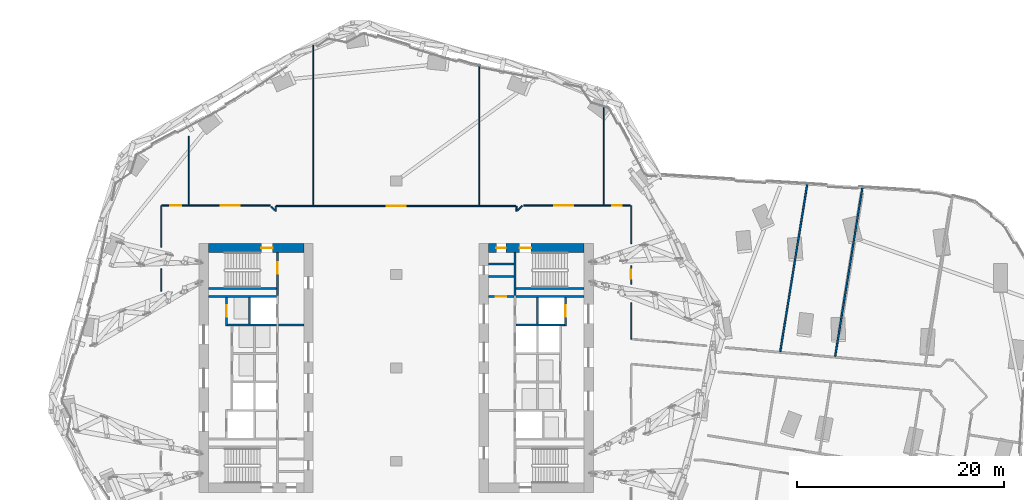
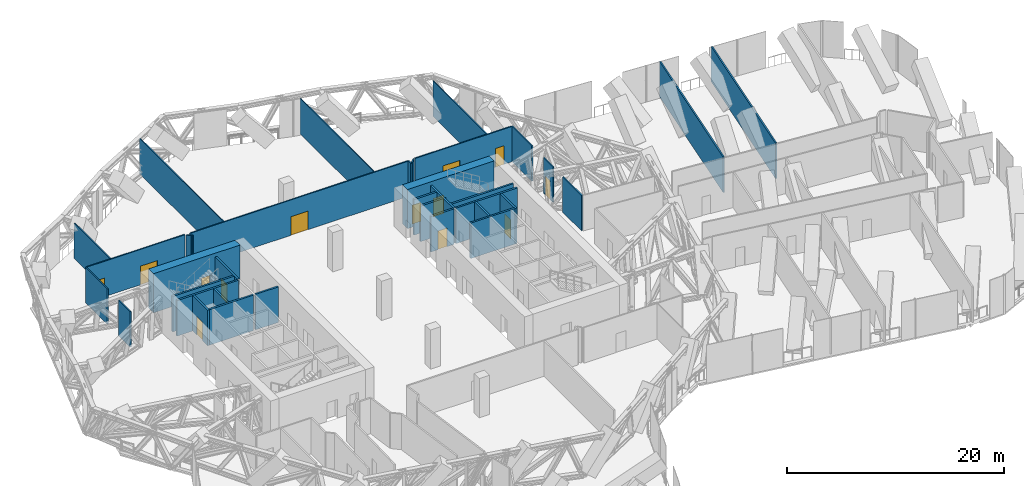
# One storey, part 32 of 39: 36 walls, 13 doors, 13 openings.
"""IFC4 building model written with IfcOpenShell, lengths in metres."""

from ifc_helpers import new_model, si_unit, direction, frame, frame_2d, origin, place, context, subcontext, project, spatial, rectangle, extrude, material, layer, layer_set, type_object, element, fill, save


model = new_model("IFC4")

# Units and contexts
model_context = context("Model", 3, precision=1e-05, world=origin(), true_north=direction((0.0, 1.0)))
body_context = subcontext(model_context, "Body", "Model", "MODEL_VIEW")
ifc_project = project(units=[si_unit("LENGTHUNIT", "METRE"), si_unit("AREAUNIT", "SQUARE_METRE"), si_unit("VOLUMEUNIT", "CUBIC_METRE"), si_unit("PLANEANGLEUNIT", "RADIAN"), si_unit("MASSUNIT", "GRAM", prefix="KILO")], contexts=[model_context])

# Site, building, storey
site_placement = place(None, origin())
site = spatial("IfcSite", under=ifc_project, at=site_placement, CompositionType="ELEMENT")
building_placement = place(site_placement, origin())
building = spatial("IfcBuilding", under=site, at=building_placement, Name="Orlundy Tower", CompositionType="ELEMENT")
storey_placement = place(building_placement, frame((0.0, 0.0, 141.199951171875)))
storey = spatial("IfcBuildingStorey", under=building, at=storey_placement, Name="L36", CompositionType="ELEMENT", Elevation=141.199951171875)

# Wall, opening, door
ifc_material_1 = material(Name="Concrete C80/95", Category="concrete")
ifc_layer_1 = layer(ifc_material_1, 0.89990234375)
ifc_layer_set_1 = layer_set([ifc_layer_1], Name="CORE WALL 900 C80/95")
wall_type_1 = type_object("IfcWallType", Name="CORE WALL 900 C80/95", PredefinedType="SHEAR", material=ifc_layer_set_1)
wall_1_placement = place(storey_placement, frame((-18.10009765625, 11.550048828125, 0.0), z_axis=(0.0, 0.0, 1.0), x_axis=(1.0, 0.0, 0.0)))
wall_1 = element("IfcWall", 1, at=wall_1_placement, inside=storey, type_object=wall_type_1, Name="Core wall W-N L36", PredefinedType="SHEAR", context=body_context, shape_type="SweptSolid", body=[
    extrude(rectangle(XDim=9.2001953125, YDim=0.89990234375, at=frame_2d((4.60009765625, 0.0))), origin(), (0.0, 0.0, 1.0), 4.400146484375),
])
opening_1_placement = place(wall_1_placement, frame((5.10009765625, 0.0, 0.0)))
opening_1 = element("IfcOpeningElement", 2, at=opening_1_placement, cuts=wall_1, Name="Opening 27017", PredefinedType="OPENING", context=body_context, shape_type="SweptSolid", body=[
    extrude(rectangle(XDim=1.10009765625, YDim=2.10009765625, at=frame_2d((0.550048828125, 1.050048828125))), frame((0.0, 0.4599609375, 0.0), z_axis=(0.0, -1.0, 0.0), x_axis=(1.0, 0.0, 0.0)), (0.0, 0.0, 1.0), 0.919921875),
])
ifc_material_2 = material(Name="Steel door set", Category="steel")
door_type_1 = type_object("IfcDoorType", Name="Stair Door 1100x2100", OperationType="SINGLE_SWING_LEFT", PredefinedType="DOOR", material=ifc_material_2)
door_1_placement = place(opening_1_placement, origin())
door_1 = element("IfcDoor", 3, at=door_1_placement, inside=storey, type_object=door_type_1, Name="Stair door 27017", OperationType="SINGLE_SWING_RIGHT", OverallHeight=2.10009765625, OverallWidth=1.10009765625, PredefinedType="DOOR", context=body_context, shape_type="SweptSolid", body=[
    extrude(rectangle(XDim=1.10009765625, YDim=2.10009765625, at=frame_2d((0.550048828125, 1.050048828125))), frame((0.0, 0.02490234375, 0.0), z_axis=(0.0, -1.0, 0.0), x_axis=(1.0, 0.0, 0.0)), (0.0, 0.0, 1.0), 0.050048828125),
])
fill(opening_1, door_1)

# Wall, openings, doors
wall_2_placement = place(storey_placement, frame((8.89990234375, 11.550048828125, 0.0), z_axis=(0.0, 0.0, 1.0), x_axis=(1.0, 0.0, 0.0)))
wall_2 = element("IfcWall", 4, at=wall_2_placement, inside=storey, type_object=wall_type_1, Name="Core wall E-N L36", PredefinedType="SHEAR", context=body_context, shape_type="SweptSolid", body=[
    extrude(rectangle(XDim=9.2001953125, YDim=0.89990234375, at=frame_2d((4.60009765625, 0.0))), origin(), (0.0, 0.0, 1.0), 4.400146484375),
])
opening_2_placement = place(wall_2_placement, frame((3.0, 0.0, 0.0)))
opening_2 = element("IfcOpeningElement", 5, at=opening_2_placement, cuts=wall_2, Name="Opening 27067", PredefinedType="OPENING", context=body_context, shape_type="SweptSolid", body=[
    extrude(rectangle(XDim=1.10009765625, YDim=2.10009765625, at=frame_2d((0.550048828125, 1.050048828125))), frame((0.0, 0.4599609375, 0.0), z_axis=(0.0, -1.0, 0.0), x_axis=(1.0, 0.0, 0.0)), (0.0, 0.0, 1.0), 0.919921875),
])
opening_3_placement = place(wall_2_placement, frame((0.77001953125, 0.0, 0.0)))
opening_3 = element("IfcOpeningElement", 6, at=opening_3_placement, cuts=wall_2, Name="Opening 27069", PredefinedType="OPENING", context=body_context, shape_type="SweptSolid", body=[
    extrude(rectangle(XDim=0.89990234375, YDim=2.10009765625, at=frame_2d((0.449951171875, 1.050048828125))), frame((0.0, 0.4599609375, 0.0), z_axis=(0.0, -1.0, 0.0), x_axis=(1.0, 0.0, 0.0)), (0.0, 0.0, 1.0), 0.919921875),
])
ifc_material_3 = material(Name="Timber door set", Category="wood")
door_type_2 = type_object("IfcDoorType", Name="Room Door 900x2100", OperationType="SINGLE_SWING_LEFT", PredefinedType="DOOR", material=ifc_material_3)
door_2_placement = place(opening_3_placement, origin())
door_2 = element("IfcDoor", 7, at=door_2_placement, inside=storey, type_object=door_type_2, Name="Store door 27069", OperationType="SINGLE_SWING_LEFT", OverallHeight=2.10009765625, OverallWidth=0.89990234375, PredefinedType="DOOR", context=body_context, shape_type="SweptSolid", body=[
    extrude(rectangle(XDim=0.89990234375, YDim=2.10009765625, at=frame_2d((0.449951171875, 1.050048828125))), frame((0.0, 0.02490234375, 0.0), z_axis=(0.0, -1.0, 0.0), x_axis=(1.0, 0.0, 0.0)), (0.0, 0.0, 1.0), 0.050048828125),
])
fill(opening_3, door_2)
door_3_placement = place(opening_2_placement, origin())
door_3 = element("IfcDoor", 8, at=door_3_placement, inside=storey, type_object=door_type_1, Name="Stair door 27067", OperationType="SINGLE_SWING_LEFT", OverallHeight=2.10009765625, OverallWidth=1.10009765625, PredefinedType="DOOR", context=body_context, shape_type="SweptSolid", body=[
    extrude(rectangle(XDim=1.10009765625, YDim=2.10009765625, at=frame_2d((0.550048828125, 1.050048828125))), frame((0.0, 0.02490234375, 0.0), z_axis=(0.0, -1.0, 0.0), x_axis=(1.0, 0.0, 0.0)), (0.0, 0.0, 1.0), 0.050048828125),
])
fill(opening_2, door_3)

# Walls
ifc_material_4 = material(Name="Gypsum board partition")
ifc_layer_2 = layer(ifc_material_4, 0.10009765625)
ifc_layer_set_2 = layer_set([ifc_layer_2], Name="Floor partition 100")
wall_type_2 = type_object("IfcWallType", Name="Floor partition 100", PredefinedType="PARTITIONING", material=ifc_layer_set_2)
wall_3_placement = place(storey_placement, frame((20.0, 15.712890625, 0.0), z_axis=(0.0, 0.0, 1.0), x_axis=(0.0, 1.0, 0.0)))
element("IfcWall", 9, at=wall_3_placement, inside=storey, type_object=wall_type_2, Name="wall-int-L36-082", PredefinedType="PARTITIONING", context=body_context, shape_type="SweptSolid", body=[
    extrude(rectangle(XDim=9.876220703125, YDim=0.10009765625, at=frame_2d((4.93798828125, 0.0))), origin(), (0.0, 0.0, 1.0), 3.97998046875),
])
wall_4_placement = place(storey_placement, frame((8.0, 15.6640625, 0.0), z_axis=(0.0, 0.0, 1.0), x_axis=(0.0, 1.0, 0.0)))
element("IfcWall", 10, at=wall_4_placement, inside=storey, type_object=wall_type_2, Name="wall-int-L36-086", PredefinedType="PARTITIONING", context=body_context, shape_type="SweptSolid", body=[
    extrude(rectangle(XDim=13.596923828125, YDim=0.10009765625, at=frame_2d((6.79833984375, 0.0))), origin(), (0.0, 0.0, 1.0), 3.97998046875),
])
wall_5_placement = place(storey_placement, frame((-8.0, 15.6640625, 0.0), z_axis=(0.0, 0.0, 1.0), x_axis=(0.0, 1.0, 0.0)))
element("IfcWall", 11, at=wall_5_placement, inside=storey, type_object=wall_type_2, Name="wall-int-L36-087", PredefinedType="PARTITIONING", context=body_context, shape_type="SweptSolid", body=[
    extrude(rectangle(XDim=15.427978515625, YDim=0.10009765625, at=frame_2d((7.7138671875, 0.0))), origin(), (0.0, 0.0, 1.0), 3.97998046875),
])
wall_6_placement = place(storey_placement, frame((-20.0, 15.712890625, 0.0), z_axis=(0.0, 0.0, 1.0), x_axis=(0.0, 1.0, 0.0)))
element("IfcWall", 12, at=wall_6_placement, inside=storey, type_object=wall_type_2, Name="wall-int-L36-089", PredefinedType="PARTITIONING", context=body_context, shape_type="SweptSolid", body=[
    extrude(rectangle(XDim=6.608154296875, YDim=0.10009765625, at=frame_2d((3.30419921875, 0.0))), origin(), (0.0, 0.0, 1.0), 3.97998046875),
])
ifc_material_5 = material(Name="Gypsum board partition, double layer")
ifc_layer_3 = layer(ifc_material_5, 0.125)
ifc_layer_set_3 = layer_set([ifc_layer_3], Name="Floor partition 125")
wall_type_3 = type_object("IfcWallType", Name="Floor partition 125", PredefinedType="PARTITIONING", material=ifc_layer_set_3)
wall_7_placement = place(storey_placement, frame((-12.0458984375, 15.52392578125, 0.0), z_axis=(0.0, 0.0, 1.0), x_axis=(0.707106781187, -0.707106781187, 0.0)))
element("IfcWall", 13, at=wall_7_placement, inside=storey, type_object=wall_type_3, Name="wall-int-L36-012", PredefinedType="PARTITIONING", context=body_context, shape_type="SweptSolid", body=[
    extrude(rectangle(XDim=0.449462890625, YDim=0.125, at=frame_2d((0.224609375, 0.0))), origin(), (0.0, 0.0, 1.0), 3.97998046875),
])

# Wall, opening, door
wall_8_placement = place(storey_placement, frame((-11.537109375, 15.60107421875, 0.0), z_axis=(0.0, 0.0, 1.0), x_axis=(1.0, 0.0, 0.0)))
wall_8 = element("IfcWall", 14, at=wall_8_placement, inside=storey, type_object=wall_type_3, Name="wall-int-L36-041", PredefinedType="PARTITIONING", context=body_context, shape_type="SweptSolid", body=[
    extrude(rectangle(XDim=23.07421875, YDim=0.125, at=frame_2d((11.537109375, 0.0))), origin(), (0.0, 0.0, 1.0), 3.97998046875),
])
opening_4_placement = place(wall_8_placement, frame((10.637451171875, 0.0, 0.0)))
opening_4 = element("IfcOpeningElement", 15, at=opening_4_placement, cuts=wall_8, Name="Opening 27134", PredefinedType="OPENING", context=body_context, shape_type="SweptSolid", body=[
    extrude(rectangle(XDim=1.800048828125, YDim=2.10009765625, at=frame_2d((0.89990234375, 1.050048828125))), frame((0.0, 0.072509765625, 0.0), z_axis=(0.0, -1.0, 0.0), x_axis=(1.0, 0.0, 0.0)), (0.0, 0.0, 1.0), 0.14501953125),
])
ifc_material_6 = material(Name="Timber door leaf", Category="wood")
door_type_3 = type_object("IfcDoorType", Name="Floor door double 1800 FD30S", OperationType="NOTDEFINED", PredefinedType="DOOR", material=ifc_material_6)
door_4_placement = place(opening_4_placement, origin())
door_4 = element("IfcDoor", 16, at=door_4_placement, inside=storey, type_object=door_type_3, Name="Door 27134", OperationType="DOUBLE_DOOR_SINGLE_SWING", OverallHeight=2.10009765625, OverallWidth=1.800048828125, PredefinedType="DOOR", context=body_context, shape_type="SweptSolid", body=[
    extrude(rectangle(XDim=1.800048828125, YDim=2.10009765625, at=frame_2d((0.89990234375, 1.050048828125))), frame((0.0, 0.02490234375, 0.0), z_axis=(0.0, -1.0, 0.0), x_axis=(1.0, 0.0, 0.0)), (0.0, 0.0, 1.0), 0.050048828125),
])
fill(opening_4, door_4)

# Wall, openings, doors
wall_9_placement = place(storey_placement, frame((-22.5869140625, 15.65087890625, 0.0), z_axis=(0.0, 0.0, 1.0), x_axis=(1.0, 0.0, 0.0)))
wall_9 = element("IfcWall", 17, at=wall_9_placement, inside=storey, type_object=wall_type_3, Name="wall-int-L36-042", PredefinedType="PARTITIONING", context=body_context, shape_type="SweptSolid", body=[
    extrude(rectangle(XDim=10.427001953125, YDim=0.125, at=frame_2d((5.21337890625, 0.0))), origin(), (0.0, 0.0, 1.0), 3.97998046875),
])
opening_5_placement = place(wall_9_placement, frame((5.6875, 0.0, 0.0)))
opening_5 = element("IfcOpeningElement", 18, at=opening_5_placement, cuts=wall_9, Name="Opening 27135", PredefinedType="OPENING", context=body_context, shape_type="SweptSolid", body=[
    extrude(rectangle(XDim=1.800048828125, YDim=2.10009765625, at=frame_2d((0.89990234375, 1.050048828125))), frame((0.0, 0.072509765625, 0.0), z_axis=(0.0, -1.0, 0.0), x_axis=(1.0, 0.0, 0.0)), (0.0, 0.0, 1.0), 0.14501953125),
])
opening_6_placement = place(wall_9_placement, frame((0.78759765625, 0.0, 0.0)))
opening_6 = element("IfcOpeningElement", 19, at=opening_6_placement, cuts=wall_9, Name="Opening 27136", PredefinedType="OPENING", context=body_context, shape_type="SweptSolid", body=[
    extrude(rectangle(XDim=1.10009765625, YDim=2.10009765625, at=frame_2d((0.550048828125, 1.050048828125))), frame((0.0, 0.072509765625, 0.0), z_axis=(0.0, -1.0, 0.0), x_axis=(1.0, 0.0, 0.0)), (0.0, 0.0, 1.0), 0.14501953125),
])
door_5_placement = place(opening_5_placement, origin())
door_5 = element("IfcDoor", 20, at=door_5_placement, inside=storey, type_object=door_type_3, Name="Door 27135", OperationType="DOUBLE_DOOR_SINGLE_SWING", OverallHeight=2.10009765625, OverallWidth=1.800048828125, PredefinedType="DOOR", context=body_context, shape_type="SweptSolid", body=[
    extrude(rectangle(XDim=1.800048828125, YDim=2.10009765625, at=frame_2d((0.89990234375, 1.050048828125))), frame((0.0, 0.02490234375, 0.0), z_axis=(0.0, -1.0, 0.0), x_axis=(1.0, 0.0, 0.0)), (0.0, 0.0, 1.0), 0.050048828125),
])
fill(opening_5, door_5)
ifc_material_7 = material(Name="Timber door leaf", Category="wood")
door_type_4 = type_object("IfcDoorType", Name="Floor door xwide 1100 FD30S", OperationType="NOTDEFINED", PredefinedType="DOOR", material=ifc_material_7)
door_6_placement = place(opening_6_placement, origin())
door_6 = element("IfcDoor", 21, at=door_6_placement, inside=storey, type_object=door_type_4, Name="Door 27136", OperationType="SINGLE_SWING_LEFT", OverallHeight=2.10009765625, OverallWidth=1.10009765625, PredefinedType="DOOR", context=body_context, shape_type="SweptSolid", body=[
    extrude(rectangle(XDim=1.10009765625, YDim=2.10009765625, at=frame_2d((0.550048828125, 1.050048828125))), frame((0.0, 0.02490234375, 0.0), z_axis=(0.0, -1.0, 0.0), x_axis=(1.0, 0.0, 0.0)), (0.0, 0.0, 1.0), 0.050048828125),
])
fill(opening_6, door_6)

wall_10_placement = place(storey_placement, frame((12.31103515625, 15.65087890625, 0.0), z_axis=(0.0, 0.0, 1.0), x_axis=(1.0, 0.0, 0.0)))
wall_10 = element("IfcWall", 22, at=wall_10_placement, inside=storey, type_object=wall_type_3, Name="wall-int-L36-043", PredefinedType="PARTITIONING", context=body_context, shape_type="SweptSolid", body=[
    extrude(rectangle(XDim=10.27587890625, YDim=0.125, at=frame_2d((5.137939453125, 0.0))), origin(), (0.0, 0.0, 1.0), 3.97998046875),
])
opening_7_placement = place(wall_10_placement, frame((8.5390625, 0.0, 0.0)))
opening_7 = element("IfcOpeningElement", 23, at=opening_7_placement, cuts=wall_10, Name="Opening 27132", PredefinedType="OPENING", context=body_context, shape_type="SweptSolid", body=[
    extrude(rectangle(XDim=0.89990234375, YDim=2.10009765625, at=frame_2d((0.449951171875, 1.050048828125))), frame((0.0, 0.072509765625, 0.0), z_axis=(0.0, -1.0, 0.0), x_axis=(1.0, 0.0, 0.0)), (0.0, 0.0, 1.0), 0.14501953125),
])
opening_8_placement = place(wall_10_placement, frame((2.94921875, 0.0, 0.0)))
opening_8 = element("IfcOpeningElement", 24, at=opening_8_placement, cuts=wall_10, Name="Opening 27133", PredefinedType="OPENING", context=body_context, shape_type="SweptSolid", body=[
    extrude(rectangle(XDim=1.800048828125, YDim=2.10009765625, at=frame_2d((0.89990234375, 1.050048828125))), frame((0.0, 0.072509765625, 0.0), z_axis=(0.0, -1.0, 0.0), x_axis=(1.0, 0.0, 0.0)), (0.0, 0.0, 1.0), 0.14501953125),
])
door_7_placement = place(opening_8_placement, origin())
door_7 = element("IfcDoor", 25, at=door_7_placement, inside=storey, type_object=door_type_3, Name="Door 27133", OperationType="DOUBLE_DOOR_SINGLE_SWING", OverallHeight=2.10009765625, OverallWidth=1.800048828125, PredefinedType="DOOR", context=body_context, shape_type="SweptSolid", body=[
    extrude(rectangle(XDim=1.800048828125, YDim=2.10009765625, at=frame_2d((0.89990234375, 1.050048828125))), frame((0.0, 0.02490234375, 0.0), z_axis=(0.0, -1.0, 0.0), x_axis=(1.0, 0.0, 0.0)), (0.0, 0.0, 1.0), 0.050048828125),
])
fill(opening_8, door_7)
ifc_material_8 = material(Name="Timber door leaf", Category="wood")
door_type_5 = type_object("IfcDoorType", Name="Floor door single 900 FD30S", OperationType="NOTDEFINED", PredefinedType="DOOR", material=ifc_material_8)
door_8_placement = place(opening_7_placement, origin())
door_8 = element("IfcDoor", 26, at=door_8_placement, inside=storey, type_object=door_type_5, Name="Door 27132", OperationType="SINGLE_SWING_RIGHT", OverallHeight=2.10009765625, OverallWidth=0.89990234375, PredefinedType="DOOR", context=body_context, shape_type="SweptSolid", body=[
    extrude(rectangle(XDim=0.89990234375, YDim=2.10009765625, at=frame_2d((0.449951171875, 1.050048828125))), frame((0.0, 0.02490234375, 0.0), z_axis=(0.0, -1.0, 0.0), x_axis=(1.0, 0.0, 0.0)), (0.0, 0.0, 1.0), 0.050048828125),
])
fill(opening_7, door_8)

# Walls
wall_11_placement = place(storey_placement, frame((11.72900390625, 15.20703125, 0.0), z_axis=(0.0, 0.0, 1.0), x_axis=(0.707106781187, 0.707106781187, 0.0)))
element("IfcWall", 27, at=wall_11_placement, inside=storey, type_object=wall_type_3, Name="wall-int-L36-049", PredefinedType="PARTITIONING", context=body_context, shape_type="SweptSolid", body=[
    extrude(rectangle(XDim=0.599609375, YDim=0.125, at=frame_2d((0.2998046875, 0.0))), origin(), (0.0, 0.0, 1.0), 3.97998046875),
])
wall_12_placement = place(storey_placement, frame((-11.60107421875, 15.092041015625, 0.0), z_axis=(0.0, 0.0, 1.0), x_axis=(0.00192214926, 0.999998152669, 0.0)))
element("IfcWall", 28, at=wall_12_placement, inside=storey, type_object=wall_type_3, Name="wall-int-L36-075", PredefinedType="PARTITIONING", context=body_context, shape_type="SweptSolid", body=[
    extrude(rectangle(XDim=0.508056640625, YDim=0.125, at=frame_2d((0.25390625, 0.0))), origin(), (0.0, 0.0, 1.0), 3.97998046875),
])
wall_13_placement = place(storey_placement, frame((22.65087890625, 2.778076171875, 0.0), z_axis=(0.0, 0.0, 1.0), x_axis=(0.0, 1.0, 0.0)))
element("IfcWall", 29, at=wall_13_placement, inside=storey, type_object=wall_type_3, Name="wall-int-L36-078", PredefinedType="PARTITIONING", context=body_context, shape_type="SweptSolid", body=[
    extrude(rectangle(XDim=3.474853515625, YDim=0.125, at=frame_2d((1.7373046875, 0.0))), origin(), (0.0, 0.0, 1.0), 3.97998046875),
])

# Wall, opening, door
wall_14_placement = place(storey_placement, frame((22.65087890625, 9.821044921875, 0.0), z_axis=(0.0, 0.0, 1.0), x_axis=(0.0, -1.0, 0.0)))
wall_14 = element("IfcWall", 30, at=wall_14_placement, inside=storey, type_object=wall_type_3, Name="wall-int-L36-079", PredefinedType="PARTITIONING", context=body_context, shape_type="SweptSolid", body=[
    extrude(rectangle(XDim=1.759033203125, YDim=0.125, at=frame_2d((0.87939453125, 0.0))), origin(), (0.0, 0.0, 1.0), 3.97998046875),
])
opening_9_placement = place(wall_14_placement, frame((0.35009765625, 0.0, 0.0)))
opening_9 = element("IfcOpeningElement", 31, at=opening_9_placement, cuts=wall_14, Name="Opening 27131", PredefinedType="OPENING", context=body_context, shape_type="SweptSolid", body=[
    extrude(rectangle(XDim=0.89990234375, YDim=2.10009765625, at=frame_2d((0.449951171875, 1.050048828125))), frame((0.0, 0.072509765625, 0.0), z_axis=(0.0, -1.0, 0.0), x_axis=(1.0, 0.0, 0.0)), (0.0, 0.0, 1.0), 0.14501953125),
])
door_9_placement = place(opening_9_placement, origin())
door_9 = element("IfcDoor", 32, at=door_9_placement, inside=storey, type_object=door_type_5, Name="Door 27131", OperationType="SINGLE_SWING_LEFT", OverallHeight=2.10009765625, OverallWidth=0.89990234375, PredefinedType="DOOR", context=body_context, shape_type="SweptSolid", body=[
    extrude(rectangle(XDim=0.89990234375, YDim=2.10009765625, at=frame_2d((0.449951171875, 1.050048828125))), frame((0.0, 0.02490234375, 0.0), z_axis=(0.0, -1.0, 0.0), x_axis=(1.0, 0.0, 0.0)), (0.0, 0.0, 1.0), 0.050048828125),
])
fill(opening_9, door_9)

# Walls
wall_15_placement = place(storey_placement, frame((22.65087890625, 11.968994140625, 0.0), z_axis=(0.0, 0.0, 1.0), x_axis=(0.0, 1.0, 0.0)))
element("IfcWall", 33, at=wall_15_placement, inside=storey, type_object=wall_type_3, Name="wall-int-L36-080", PredefinedType="PARTITIONING", context=body_context, shape_type="SweptSolid", body=[
    extrude(rectangle(XDim=3.680908203125, YDim=0.125, at=frame_2d((1.84033203125, 0.0))), origin(), (0.0, 0.0, 1.0), 3.97998046875),
])
wall_16_placement = place(storey_placement, frame((11.60107421875, 15.092041015625, 0.0), z_axis=(0.0, 0.0, 1.0), x_axis=(0.0, 1.0, 0.0)))
element("IfcWall", 34, at=wall_16_placement, inside=storey, type_object=wall_type_3, Name="wall-int-L36-084", PredefinedType="PARTITIONING", context=body_context, shape_type="SweptSolid", body=[
    extrude(rectangle(XDim=0.508056640625, YDim=0.125, at=frame_2d((0.25390625, 0.0))), origin(), (0.0, 0.0, 1.0), 3.97998046875),
])
wall_17_placement = place(storey_placement, frame((-22.64990234375, 7.402099609375, 0.0), z_axis=(0.0, 0.0, 1.0), x_axis=(0.0, 1.0, 0.0)))
element("IfcWall", 35, at=wall_17_placement, inside=storey, type_object=wall_type_3, Name="wall-int-L36-092", PredefinedType="PARTITIONING", context=body_context, shape_type="SweptSolid", body=[
    extrude(rectangle(XDim=2.143798828125, YDim=0.125, at=frame_2d((1.07177734375, 0.0))), origin(), (0.0, 0.0, 1.0), 3.97998046875),
])
wall_18_placement = place(storey_placement, frame((-22.64990234375, 11.6240234375, 0.0), z_axis=(0.0, 0.0, 1.0), x_axis=(0.0, 1.0, 0.0)))
element("IfcWall", 36, at=wall_18_placement, inside=storey, type_object=wall_type_3, Name="wall-int-L36-093", PredefinedType="PARTITIONING", context=body_context, shape_type="SweptSolid", body=[
    extrude(rectangle(XDim=4.02685546875, YDim=0.125, at=frame_2d((2.013427734375, 0.0))), origin(), (0.0, 0.0, 1.0), 3.97998046875),
])
ifc_material_9 = material(Name="Blockwork shaft wall", Category="masonry")
ifc_layer_4 = layer(ifc_material_9, 0.14990234375)
ifc_layer_set_4 = layer_set([ifc_layer_4], Name="Floor shaft wall 150")
wall_type_4 = type_object("IfcWallType", Name="Floor shaft wall 150", PredefinedType="PARTITIONING", material=ifc_layer_set_4)
wall_19_placement = place(storey_placement, frame((42.31591796875, 1.10302734375, 0.0), z_axis=(0.0, 0.0, 1.0), x_axis=(0.159316819836, 0.987227507172, 0.0)))
element("IfcWall", 37, at=wall_19_placement, inside=storey, type_object=wall_type_4, Name="wall-int-L36-064", PredefinedType="PARTITIONING", context=body_context, shape_type="SweptSolid", body=[
    extrude(rectangle(XDim=16.646728515625, YDim=0.14990234375, at=frame_2d((8.3232421875, 0.0))), origin(), (0.0, 0.0, 1.0), 3.97998046875),
])
wall_20_placement = place(storey_placement, frame((37.02392578125, 1.573974609375, 0.0), z_axis=(0.0, 0.0, 1.0), x_axis=(0.159295245398, 0.98723098857, 0.0)))
element("IfcWall", 38, at=wall_20_placement, inside=storey, type_object=wall_type_4, Name="wall-int-L36-067", PredefinedType="PARTITIONING", context=body_context, shape_type="SweptSolid", body=[
    extrude(rectangle(XDim=16.498779296875, YDim=0.14990234375, at=frame_2d((8.24951171875, 0.0))), origin(), (0.0, 0.0, 1.0), 3.97998046875),
])

# Wall, opening, door
ifc_material_10 = material(Name="Concrete C40/50", Category="concrete")
ifc_layer_5 = layer(ifc_material_10, 0.199951171875)
ifc_layer_set_5 = layer_set([ifc_layer_5], Name="Load-bearing Shaft Wall 200")
wall_type_5 = type_object("IfcWallType", Name="Load-bearing Shaft Wall 200", PredefinedType="SOLIDWALL", material=ifc_layer_set_5)
wall_21_placement = place(storey_placement, frame((-11.43994140625, 6.97509765625, 0.0), z_axis=(0.0, 0.0, 1.0), x_axis=(0.0, 1.0, 0.0)))
wall_21 = element("IfcWall", 39, at=wall_21_placement, inside=storey, type_object=wall_type_5, Name="Shaft wall W27-stair-end-n", PredefinedType="SOLIDWALL", context=body_context, shape_type="SweptSolid", body=[
    extrude(rectangle(XDim=4.125, YDim=0.199951171875, at=frame_2d((2.0625, 0.0))), origin(), (0.0, 0.0, 1.0), 3.989990234375),
])
opening_10_placement = place(wall_21_placement, frame((2.10009765625, 0.0, 0.0)))
opening_10 = element("IfcOpeningElement", 40, at=opening_10_placement, cuts=wall_21, Name="Opening 27019", PredefinedType="OPENING", context=body_context, shape_type="SweptSolid", body=[
    extrude(rectangle(XDim=1.10009765625, YDim=2.10009765625, at=frame_2d((0.550048828125, 1.050048828125))), frame((0.0, 0.110107421875, 0.0), z_axis=(0.0, -1.0, 0.0), x_axis=(1.0, 0.0, 0.0)), (0.0, 0.0, 1.0), 0.22021484375),
])
ifc_material_11 = material(Name="Steel door set", Category="steel")
door_type_6 = type_object("IfcDoorType", Name="Fire-fighting Lobby Door 1100x2100", OperationType="SINGLE_SWING_LEFT", PredefinedType="DOOR", material=ifc_material_11)
door_10_placement = place(opening_10_placement, origin())
door_10 = element("IfcDoor", 41, at=door_10_placement, inside=storey, type_object=door_type_6, Name="Fire-fighting lobby to stair door 27019", OperationType="SINGLE_SWING_RIGHT", OverallHeight=2.10009765625, OverallWidth=1.10009765625, PredefinedType="DOOR", context=body_context, shape_type="SweptSolid", body=[
    extrude(rectangle(XDim=1.10009765625, YDim=2.10009765625, at=frame_2d((0.550048828125, 1.050048828125))), frame((0.0, 0.02490234375, 0.0), z_axis=(0.0, -1.0, 0.0), x_axis=(1.0, 0.0, 0.0)), (0.0, 0.0, 1.0), 0.050048828125),
])
fill(opening_10, door_10)

# Walls
wall_22_placement = place(storey_placement, frame((-11.5400390625, 7.64990234375, 0.0), z_axis=(0.0, 0.0, 1.0), x_axis=(-1.0, 0.0, 0.0)))
element("IfcWall", 42, at=wall_22_placement, inside=storey, type_object=wall_type_5, Name="Shaft wall W27-stair-side-n", PredefinedType="SOLIDWALL", context=body_context, shape_type="SweptSolid", body=[
    extrude(rectangle(XDim=6.56005859375, YDim=0.199951171875, at=frame_2d((3.280029296875, 0.0))), origin(), (0.0, 0.0, 1.0), 3.989990234375),
])
wall_23_placement = place(storey_placement, frame((11.43994140625, 11.10009765625, 0.0), z_axis=(0.0, 0.0, 1.0), x_axis=(0.0, -1.0, 0.0)))
element("IfcWall", 43, at=wall_23_placement, inside=storey, type_object=wall_type_5, Name="Shaft wall E27-stair-end-s", PredefinedType="SOLIDWALL", context=body_context, shape_type="SweptSolid", body=[
    extrude(rectangle(XDim=4.125, YDim=0.199951171875, at=frame_2d((2.0625, 0.0))), origin(), (0.0, 0.0, 1.0), 3.989990234375),
])
wall_24_placement = place(storey_placement, frame((11.5400390625, 7.64990234375, 0.0), z_axis=(0.0, 0.0, 1.0), x_axis=(1.0, 0.0, 0.0)))
element("IfcWall", 44, at=wall_24_placement, inside=storey, type_object=wall_type_5, Name="Shaft wall E27-stair-side-s", PredefinedType="SOLIDWALL", context=body_context, shape_type="SweptSolid", body=[
    extrude(rectangle(XDim=6.56005859375, YDim=0.199951171875, at=frame_2d((3.280029296875, 0.0))), origin(), (0.0, 0.0, 1.0), 3.989990234375),
])
ifc_material_12 = material(Name="Gypsum board partition on steel studs", Category="steel")
ifc_layer_6 = layer(ifc_material_12, 0.199951171875)
ifc_layer_set_6 = layer_set([ifc_layer_6], Name="Partition 200")
wall_type_6 = type_object("IfcWallType", Name="Partition 200", PredefinedType="PARTITIONING", material=ifc_layer_set_6)
wall_25_placement = place(storey_placement, frame((-8.89990234375, 4.125, 0.0), z_axis=(0.0, 0.0, 1.0), x_axis=(-1.0, 0.0, 0.0)))
element("IfcWall", 45, at=wall_25_placement, inside=storey, type_object=wall_type_6, Name="Partition wall W27-lobby-n", PredefinedType="PARTITIONING", context=body_context, shape_type="SweptSolid", body=[
    extrude(rectangle(XDim=2.440185546875, YDim=0.199951171875, at=frame_2d((1.22021484375, 0.0))), origin(), (0.0, 0.0, 1.0), 3.989990234375),
])

# Wall, opening, door
wall_26_placement = place(storey_placement, frame((8.89990234375, 6.875, 0.0), z_axis=(0.0, 0.0, 1.0), x_axis=(1.0, 0.0, 0.0)))
wall_26 = element("IfcWall", 46, at=wall_26_placement, inside=storey, type_object=wall_type_6, Name="Partition wall E27-end-s", PredefinedType="PARTITIONING", context=body_context, shape_type="SweptSolid", body=[
    extrude(rectangle(XDim=2.440185546875, YDim=0.199951171875, at=frame_2d((1.22021484375, 0.0))), origin(), (0.0, 0.0, 1.0), 3.989990234375),
])
opening_11_placement = place(wall_26_placement, frame((0.719970703125, 0.0, 0.0)))
opening_11 = element("IfcOpeningElement", 47, at=opening_11_placement, cuts=wall_26, Name="Opening 27071", PredefinedType="OPENING", context=body_context, shape_type="SweptSolid", body=[
    extrude(rectangle(XDim=1.0, YDim=2.10009765625, at=frame_2d((0.5, 1.050048828125))), frame((0.0, 0.110107421875, 0.0), z_axis=(0.0, -1.0, 0.0), x_axis=(1.0, 0.0, 0.0)), (0.0, 0.0, 1.0), 0.22021484375),
])
ifc_material_13 = material(Name="Timber door set", Category="wood")
door_type_7 = type_object("IfcDoorType", Name="Accessible Door 1000x2100", OperationType="SINGLE_SWING_LEFT", PredefinedType="DOOR", material=ifc_material_13)
door_11_placement = place(opening_11_placement, origin())
door_11 = element("IfcDoor", 48, at=door_11_placement, inside=storey, type_object=door_type_7, Name="Accessible WC door 27071", OperationType="SINGLE_SWING_RIGHT", OverallHeight=2.10009765625, OverallWidth=1.0, PredefinedType="DOOR", context=body_context, shape_type="SweptSolid", body=[
    extrude(rectangle(XDim=1.0, YDim=2.10009765625, at=frame_2d((0.5, 1.050048828125))), frame((0.0, 0.02490234375, 0.0), z_axis=(0.0, -1.0, 0.0), x_axis=(1.0, 0.0, 0.0)), (0.0, 0.0, 1.0), 0.050048828125),
])
fill(opening_11, door_11)

# Walls
for number, where, z_axis, x_axis, name in (
    (49, (8.89990234375, 10.0, 0.0), (0.0, 0.0, 1.0), (1.0, 0.0, 0.0), "Partition wall E27-room-s0"),
    (50, (8.89990234375, 8.800048828125, 0.0), (0.0, 0.0, 1.0), (1.0, 0.0, 0.0), "Partition wall E27-room-s1"),
):
    element("IfcWall", number, at=place(storey_placement, frame(where, z_axis=z_axis, x_axis=x_axis)), inside=storey, type_object=wall_type_6, Name=name, PredefinedType="PARTITIONING", context=body_context, shape_type="SweptSolid", body=[
        extrude(rectangle(XDim=2.440185546875, YDim=0.199951171875, at=frame_2d((1.22021484375, 0.0))), origin(), (0.0, 0.0, 1.0), 3.989990234375),
    ])
ifc_material_14 = material(Name="Fire-rated blockwork shaft wall", Category="masonry")
ifc_layer_7 = layer(ifc_material_14, 0.199951171875)
ifc_layer_set_7 = layer_set([ifc_layer_7], Name="Shaft Wall 200")
wall_type_7 = type_object("IfcWallType", Name="Shaft Wall 200", PredefinedType="SOLIDWALL", material=ifc_layer_set_7)
wall_27_placement = place(storey_placement, frame((-11.5400390625, 6.875, 0.0), z_axis=(0.0, 0.0, 1.0), x_axis=(-1.0, 0.0, 0.0)))
element("IfcWall", 51, at=wall_27_placement, inside=storey, type_object=wall_type_7, Name="Shaft wall W27-zone-n", PredefinedType="SOLIDWALL", context=body_context, shape_type="SweptSolid", body=[
    extrude(rectangle(XDim=6.56005859375, YDim=0.199951171875, at=frame_2d((3.280029296875, 0.0))), origin(), (0.0, 0.0, 1.0), 3.989990234375),
])
wall_28_placement = place(storey_placement, frame((-11.5400390625, 4.125, 0.0), z_axis=(0.0, 0.0, 1.0), x_axis=(-1.0, 0.0, 0.0)))
element("IfcWall", 52, at=wall_28_placement, inside=storey, type_object=wall_type_7, Name="Shaft wall W27-cross+4.125", PredefinedType="SOLIDWALL", context=body_context, shape_type="SweptSolid", body=[
    extrude(rectangle(XDim=4.699951171875, YDim=0.199951171875, at=frame_2d((2.35009765625, 0.0))), origin(), (0.0, 0.0, 1.0), 3.989990234375),
])
wall_29_placement = place(storey_placement, frame((-14.139892578125, 4.22509765625, 0.0), z_axis=(0.0, 0.0, 1.0), x_axis=(0.0, 1.0, 0.0)))
element("IfcWall", 53, at=wall_29_placement, inside=storey, type_object=wall_type_7, Name="Shaft wall W27-mid-b", PredefinedType="SOLIDWALL", context=body_context, shape_type="SweptSolid", body=[
    extrude(rectangle(XDim=2.5498046875, YDim=0.199951171875, at=frame_2d((1.27490234375, 0.0))), origin(), (0.0, 0.0, 1.0), 3.989990234375),
])

# Wall, opening, door
wall_30_placement = place(storey_placement, frame((-16.340087890625, 4.02490234375, 0.0), z_axis=(0.0, 0.0, 1.0), x_axis=(0.0, 1.0, 0.0)))
wall_30 = element("IfcWall", 54, at=wall_30_placement, inside=storey, type_object=wall_type_7, Name="Shaft wall W27-front-o-c", PredefinedType="SOLIDWALL", context=body_context, shape_type="SweptSolid", body=[
    extrude(rectangle(XDim=2.75, YDim=0.199951171875, at=frame_2d((1.375, 0.0))), origin(), (0.0, 0.0, 1.0), 3.989990234375),
])
opening_12_placement = place(wall_30_placement, frame((0.925048828125, 0.0, 0.0)))
opening_12 = element("IfcOpeningElement", 55, at=opening_12_placement, cuts=wall_30, Name="Opening 27007", PredefinedType="OPENING", context=body_context, shape_type="SweptSolid", body=[
    extrude(rectangle(XDim=1.10009765625, YDim=2.10009765625, at=frame_2d((0.550048828125, 1.050048828125))), frame((0.0, 0.110107421875, 0.0), z_axis=(0.0, -1.0, 0.0), x_axis=(1.0, 0.0, 0.0)), (0.0, 0.0, 1.0), 0.22021484375),
])
ifc_material_15 = material(Name="Steel door set", Category="steel")
door_type_8 = type_object("IfcDoorType", Name="Landing Door 1100x2100", OperationType="DOUBLE_DOOR_SLIDING", PredefinedType="DOOR", material=ifc_material_15)
door_12_placement = place(opening_12_placement, origin())
door_12 = element("IfcDoor", 56, at=door_12_placement, inside=storey, type_object=door_type_8, Name="Lift landing door LP-14 27007", OperationType="DOUBLE_DOOR_SLIDING", OverallHeight=2.10009765625, OverallWidth=1.10009765625, PredefinedType="DOOR", context=body_context, shape_type="SweptSolid", body=[
    extrude(rectangle(XDim=1.10009765625, YDim=2.10009765625, at=frame_2d((0.550048828125, 1.050048828125))), frame((0.0, 0.02490234375, 0.0), z_axis=(0.0, -1.0, 0.0), x_axis=(1.0, 0.0, 0.0)), (0.0, 0.0, 1.0), 0.050048828125),
])
fill(opening_12, door_12)

# Walls
wall_31_placement = place(storey_placement, frame((11.5400390625, 6.875, 0.0), z_axis=(0.0, 0.0, 1.0), x_axis=(1.0, 0.0, 0.0)))
element("IfcWall", 57, at=wall_31_placement, inside=storey, type_object=wall_type_7, Name="Shaft wall E27-zone-s", PredefinedType="SOLIDWALL", context=body_context, shape_type="SweptSolid", body=[
    extrude(rectangle(XDim=6.56005859375, YDim=0.199951171875, at=frame_2d((3.280029296875, 0.0))), origin(), (0.0, 0.0, 1.0), 3.989990234375),
])
wall_32_placement = place(storey_placement, frame((11.5400390625, 4.125, 0.0), z_axis=(0.0, 0.0, 1.0), x_axis=(1.0, 0.0, 0.0)))
element("IfcWall", 58, at=wall_32_placement, inside=storey, type_object=wall_type_7, Name="Shaft wall E27-cross-4.125", PredefinedType="SOLIDWALL", context=body_context, shape_type="SweptSolid", body=[
    extrude(rectangle(XDim=4.699951171875, YDim=0.199951171875, at=frame_2d((2.35009765625, 0.0))), origin(), (0.0, 0.0, 1.0), 3.989990234375),
])
wall_33_placement = place(storey_placement, frame((13.639892578125, 6.77490234375, 0.0), z_axis=(0.0, 0.0, 1.0), x_axis=(0.0, -1.0, 0.0)))
element("IfcWall", 59, at=wall_33_placement, inside=storey, type_object=wall_type_7, Name="Shaft wall E27-mid-a", PredefinedType="SOLIDWALL", context=body_context, shape_type="SweptSolid", body=[
    extrude(rectangle(XDim=2.5498046875, YDim=0.199951171875, at=frame_2d((1.27490234375, 0.0))), origin(), (0.0, 0.0, 1.0), 3.989990234375),
])

# Wall, opening, door
wall_34_placement = place(storey_placement, frame((16.340087890625, 6.77490234375, 0.0), z_axis=(0.0, 0.0, 1.0), x_axis=(0.0, -1.0, 0.0)))
wall_34 = element("IfcWall", 60, at=wall_34_placement, inside=storey, type_object=wall_type_7, Name="Shaft wall E27-front-o-a", PredefinedType="SOLIDWALL", context=body_context, shape_type="SweptSolid", body=[
    extrude(rectangle(XDim=2.75, YDim=0.199951171875, at=frame_2d((1.375, 0.0))), origin(), (0.0, 0.0, 1.0), 3.989990234375),
])
opening_13_placement = place(wall_34_placement, frame((0.72509765625, 0.0, 0.0)))
opening_13 = element("IfcOpeningElement", 61, at=opening_13_placement, cuts=wall_34, Name="Opening 27050", PredefinedType="OPENING", context=body_context, shape_type="SweptSolid", body=[
    extrude(rectangle(XDim=1.10009765625, YDim=2.10009765625, at=frame_2d((0.550048828125, 1.050048828125))), frame((0.0, 0.110107421875, 0.0), z_axis=(0.0, -1.0, 0.0), x_axis=(1.0, 0.0, 0.0)), (0.0, 0.0, 1.0), 0.22021484375),
])
door_13_placement = place(opening_13_placement, origin())
door_13 = element("IfcDoor", 62, at=door_13_placement, inside=storey, type_object=door_type_8, Name="Lift landing door LV-02 27050", OperationType="DOUBLE_DOOR_SLIDING", OverallHeight=2.10009765625, OverallWidth=1.10009765625, PredefinedType="DOOR", context=body_context, shape_type="SweptSolid", body=[
    extrude(rectangle(XDim=1.10009765625, YDim=2.10009765625, at=frame_2d((0.550048828125, 1.050048828125))), frame((0.0, 0.02490234375, 0.0), z_axis=(0.0, -1.0, 0.0), x_axis=(1.0, 0.0, 0.0)), (0.0, 0.0, 1.0), 0.050048828125),
])
fill(opening_13, door_13)

save(model, "model.ifc")
